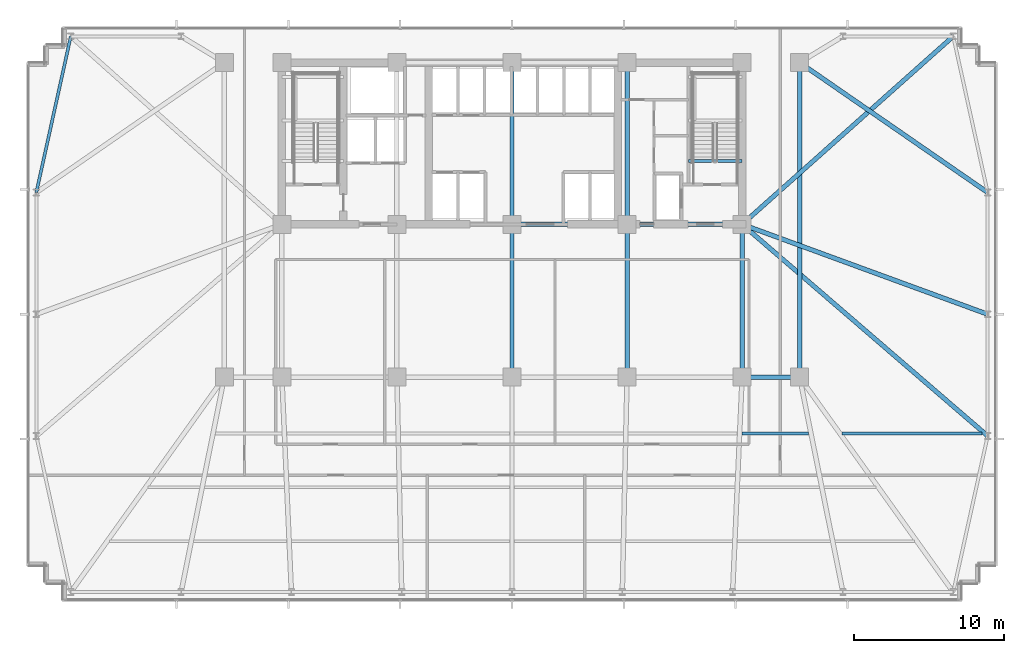
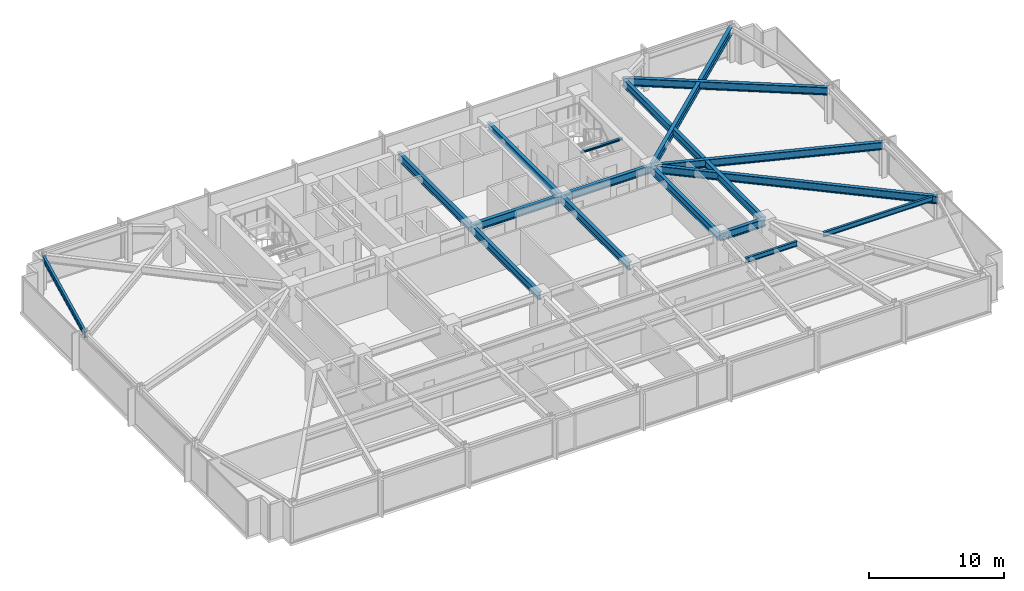
# One storey, part 16 of 32: 17 beams.
"""IFC4 building model written with IfcOpenShell, lengths in metres."""

import ifcopenshell
import ifcopenshell.guid

model = None  # the IFC model being written
_history = None  # IfcOwnerHistory: only IFC2X3 demands one
_inside = {}  # id of a spatial element -> (the spatial element, [elements in it])
_under = {}  # id of a project, library or spatial element -> (it, [spatial elements below it])
_declared = {}  # id of a project -> (the project, [libraries it declares])
_typed = {}  # id of a type object -> (the type object, [elements of that type])
_made_of = {}  # id of a material, layer set ... -> (it, [elements and type objects made of it])


def new_model(schema):
    """Start an empty IFC model of exactly this schema.

    Asked for "IFC4X3", IfcOpenShell would pick the latest addendum, in which some entities
    have other attributes; the version numbers below select the first issue.
    IFC2X3 requires an IfcOwnerHistory on every rooted entity: one is made here for all.
    """
    global model, _history
    if schema == "IFC4X3":
        model = ifcopenshell.file(schema_version=(4, 3, 0, 0))
    else:
        model = ifcopenshell.file(schema=schema)
    _inside.clear()
    _under.clear()
    _declared.clear()
    _typed.clear()
    _made_of.clear()
    _history = None
    if model.schema == "IFC2X3":
        org = make("IfcOrganization", Name="unknown")
        user = make(
            "IfcPersonAndOrganization",
            ThePerson=make("IfcPerson", FamilyName="unknown"),
            TheOrganization=org,
        )
        app = make(
            "IfcApplication",
            ApplicationDeveloper=org,
            Version="unknown",
            ApplicationFullName="unknown",
            ApplicationIdentifier="unknown",
        )
        _history = make(
            "IfcOwnerHistory",
            OwningUser=user,
            OwningApplication=app,
            ChangeAction="ADDED",
            CreationDate=0,
        )
    return model


def make(cls, **values):
    """One entity of the class cls with the attributes given. An attribute that is None is left unset."""
    return model.create_entity(
        cls, **{name: value for name, value in values.items() if value is not None}
    )


def rooted(cls, **values):
    """An entity with a GlobalId (a new one), such as an element, a storey or a relation."""
    return make(cls, GlobalId=ifcopenshell.guid.new(), OwnerHistory=_history, **values)


def si_unit(unit_type, name, prefix=None):
    """IfcSIUnit, for example si_unit("LENGTHUNIT", "METRE", prefix="MILLI")."""
    return make("IfcSIUnit", UnitType=unit_type, Prefix=prefix, Name=name)


def assignment(units):
    """IfcUnitAssignment: the units of a project."""
    return None if units is None else make("IfcUnitAssignment", Units=units)


def point(xyz):
    """IfcCartesianPoint."""
    return None if xyz is None else make("IfcCartesianPoint", Coordinates=xyz)


def direction(xyz):
    """IfcDirection."""
    return None if xyz is None else make("IfcDirection", DirectionRatios=xyz)


def frame(location, z_axis=None, x_axis=None):
    """IfcAxis2Placement3D, a coordinate frame: its origin and axes. An axis left out is left unset."""
    return make(
        "IfcAxis2Placement3D",
        Location=point(location),
        Axis=direction(z_axis),
        RefDirection=direction(x_axis),
    )


def frame_2d(location, x_axis=None):
    """IfcAxis2Placement2D, a coordinate frame in the plane: its origin and x axis."""
    return make(
        "IfcAxis2Placement2D", Location=point(location), RefDirection=direction(x_axis)
    )


def origin():
    """The frame at (0, 0, 0) with its axes left unset."""
    return frame((0.0, 0.0, 0.0))


def origin_2d():
    """The frame at (0, 0) in the plane with its x axis left unset."""
    return frame_2d((0.0, 0.0))


def place(relative_to, where):
    """IfcLocalPlacement: puts the frame where relative to a parent placement (None: the world)."""
    return make(
        "IfcLocalPlacement", PlacementRelTo=relative_to, RelativePlacement=where
    )


def context(
    kind, dimensions, precision=None, world=None, true_north=None, identifier=None
):
    """IfcGeometricRepresentationContext, for example the 3D "Model" context."""
    return make(
        "IfcGeometricRepresentationContext",
        ContextIdentifier=identifier,
        ContextType=kind,
        CoordinateSpaceDimension=dimensions,
        Precision=precision,
        WorldCoordinateSystem=world,
        TrueNorth=true_north,
    )


def subcontext(parent, identifier, kind, view, scale=None):
    """IfcGeometricRepresentationSubContext, for example "Body" below "Model"."""
    return make(
        "IfcGeometricRepresentationSubContext",
        ContextIdentifier=identifier,
        ContextType=kind,
        ParentContext=parent,
        TargetScale=scale,
        TargetView=view,
    )


def project(units=None, contexts=None):
    """IfcProject with its units and contexts."""
    return rooted(
        "IfcProject",
        Name="project",
        RepresentationContexts=contexts,
        UnitsInContext=assignment(units),
    )


def spatial(cls, under=None, at=None, **own):
    """A site, building, storey or space (cls), placed at a placement, below another one or the project."""
    s = rooted(cls, ObjectPlacement=at, **own)
    if under is not None:
        _under.setdefault(under.id(), (under, []))[1].append(s)
    return s


def profile(cls, at=None, kind="AREA", **sizes):
    """A parametric profile (cls). Its sizes go by their IFC names, for example OverallWidth=200.0."""
    return make(cls, ProfileType=kind, Position=at, **sizes)


def i_section(**sizes):
    """IfcIShapeProfileDef."""
    return profile("IfcIShapeProfileDef", **sizes)


def extrude(swept, where, along, depth):
    """IfcExtrudedAreaSolid: the profile swept, set in the frame where, extruded along a direction by depth."""
    return make(
        "IfcExtrudedAreaSolid",
        SweptArea=swept,
        Position=where,
        ExtrudedDirection=direction(along),
        Depth=depth,
    )


def shape(context_of_items, identifier, shape_type, items):
    """IfcShapeRepresentation: the items that make up one representation, for example the "Body"."""
    return make(
        "IfcShapeRepresentation",
        ContextOfItems=context_of_items,
        RepresentationIdentifier=identifier,
        RepresentationType=shape_type,
        Items=items,
    )


def material(Name=None, Category=None):
    """IfcMaterial."""
    return make("IfcMaterial", Name=Name, Category=Category)


def material_profile(
    of_material, cross_section, Name=None, Category=None, Priority=None
):
    """IfcMaterialProfile: a cross section and its material."""
    return make(
        "IfcMaterialProfile",
        Name=Name,
        Material=of_material,
        Profile=cross_section,
        Priority=Priority,
        Category=Category,
    )


def profile_set(profiles, Name=None, composite=None):
    """IfcMaterialProfileSet."""
    return make(
        "IfcMaterialProfileSet",
        Name=Name,
        MaterialProfiles=profiles,
        CompositeProfile=composite,
    )


def made_of(thing, what):
    """Note that an element or type object is made of a material, layer set ...; save() writes the relation."""
    if what is not None:
        _made_of.setdefault(what.id(), (what, []))[1].append(thing)
    return thing


def type_object(cls, material=None, **own):
    """A type object (cls), such as IfcWallType, which elements share."""
    return made_of(rooted(cls, **own), material)


def element(
    cls,
    number,
    at=None,
    inside=None,
    cuts=None,
    type_object=None,
    material=None,
    context=None,
    identifier="Body",
    shape_type=None,
    held_by="IfcProductDefinitionShape",
    body=None,
    shapes=None,
    **own,
):
    """One element of the class cls, such as IfcWall. Its Tag is "e" and its number.

    at: its placement. inside: the storey or other place that contains it. cuts: it is an
    opening in that element (IfcRelVoidsElement). A single representation is given by context,
    identifier, shape_type and body (its items); several are given by shapes. held_by: the class
    of the entity that holds the representations. save() writes the other relations.
    """
    e = rooted(cls, Tag="e%d" % number, ObjectPlacement=at, **own)
    if body is not None:
        shapes = [shape(context, identifier, shape_type, body)]
    if shapes is not None:
        e.Representation = make(held_by, Representations=shapes)
    if inside is not None:
        _inside.setdefault(inside.id(), (inside, []))[1].append(e)
    if cuts is not None:
        rooted(
            "IfcRelVoidsElement", RelatingBuildingElement=cuts, RelatedOpeningElement=e
        )
    if type_object is not None:
        _typed.setdefault(type_object.id(), (type_object, []))[1].append(e)
    return made_of(e, material)


def aggregate(whole, parts):
    """IfcRelAggregates: a whole, such as a stair, and the parts it consists of."""
    return rooted("IfcRelAggregates", RelatingObject=whole, RelatedObjects=parts)


def save(model, path):
    """Write the relations noted so far, then the file.

    IfcRelAggregates (storeys below a building ...), IfcRelContainedInSpatialStructure (elements
    in a storey), IfcRelDefinesByType, IfcRelAssociatesMaterial and IfcRelDeclares: one each for
    every whole, place, type object, material and project.
    """
    for whole, parts in _under.values():
        aggregate(whole, parts)
    for where, things in _inside.values():
        rooted(
            "IfcRelContainedInSpatialStructure",
            RelatedElements=things,
            RelatingStructure=where,
        )
    for kind, things in _typed.values():
        rooted("IfcRelDefinesByType", RelatedObjects=things, RelatingType=kind)
    for what, things in _made_of.values():
        rooted("IfcRelAssociatesMaterial", RelatedObjects=things, RelatingMaterial=what)
    for by, libraries in _declared.values():
        rooted("IfcRelDeclares", RelatingContext=by, RelatedDefinitions=libraries)
    model.write(path)


model = new_model("IFC4")

# Units and contexts
model_context = context("Model", 3, precision=1e-05, world=origin(), true_north=direction((0.0, 1.0)))
body_context = subcontext(model_context, "Body", "Model", "MODEL_VIEW")
ifc_project = project(units=[si_unit("LENGTHUNIT", "METRE"), si_unit("AREAUNIT", "SQUARE_METRE"), si_unit("VOLUMEUNIT", "CUBIC_METRE"), si_unit("PLANEANGLEUNIT", "RADIAN"), si_unit("MASSUNIT", "GRAM", prefix="KILO")], contexts=[model_context])

# Site, building, storey
site_placement = place(None, origin())
site = spatial("IfcSite", under=ifc_project, at=site_placement, CompositionType="ELEMENT")
building_placement = place(site_placement, origin())
building = spatial("IfcBuilding", under=site, at=building_placement, Name="Yelkora Congress Tower", CompositionType="ELEMENT")
storey_placement = place(building_placement, frame((0.0, 0.0, 33.800048828125)))
storey = spatial("IfcBuildingStorey", under=building, at=storey_placement, Name="L07", CompositionType="ELEMENT", Elevation=33.800048828125)

# Beams
ifc_material = material(Name="Steel S355J2", Category="steel")
ifc_material_profile_1 = material_profile(ifc_material, i_section(OverallWidth=0.300048828125, OverallDepth=0.699951171875, WebThickness=0.01708984375, FlangeThickness=0.031982421875, FilletRadius=0.027099609375, at=origin_2d()), Name="HEB 700")
ifc_profile_set_1 = profile_set([ifc_material_profile_1], Name="Steel S355J2")
beam_type_1 = type_object("IfcBeamType", Name="BM-GIRD-HEB700", PredefinedType="BEAM", material=ifc_profile_set_1)
beam_1_placement = place(storey_placement, frame((53.760009765625, 25.199951171875, 2.829833984375), z_axis=(1.0, 0.0, 0.0), x_axis=(0.0, 1.0, 0.0)))
element("IfcBeam", 1, at=beam_1_placement, inside=storey, type_object=beam_type_1, Name="L07 Spine Grid D Girder 6", PredefinedType="BEAM", context=body_context, shape_type="SweptSolid", body=[
    extrude(i_section(OverallWidth=0.300048828125, OverallDepth=0.699951171875, WebThickness=0.01708984375, FlangeThickness=0.031982421875, FilletRadius=0.027099609375, at=origin_2d()), origin(), (0.0, 0.0, 1.0), 3.840087890625),
])
beam_2_placement = place(storey_placement, frame((38.39990234375, 35.39990234375, 2.829833984375), z_axis=(1.0, 0.0, 0.0), x_axis=(0.0, 1.0, 0.0)))
element("IfcBeam", 2, at=beam_2_placement, inside=storey, type_object=beam_type_1, Name="L07 Core South Girder 3", PredefinedType="BEAM", context=body_context, shape_type="SweptSolid", body=[
    extrude(i_section(OverallWidth=0.300048828125, OverallDepth=0.699951171875, WebThickness=0.01708984375, FlangeThickness=0.031982421875, FilletRadius=0.027099609375, at=origin_2d()), origin(), (0.0, 0.0, 1.0), 7.68017578125),
])
beam_3_placement = place(storey_placement, frame((46.080078125, 35.39990234375, 2.829833984375), z_axis=(1.0, 0.0, 0.0), x_axis=(0.0, 1.0, 0.0)))
element("IfcBeam", 3, at=beam_3_placement, inside=storey, type_object=beam_type_1, Name="L07 Core South Girder 4", PredefinedType="BEAM", context=body_context, shape_type="SweptSolid", body=[
    extrude(i_section(OverallWidth=0.300048828125, OverallDepth=0.699951171875, WebThickness=0.01708984375, FlangeThickness=0.031982421875, FilletRadius=0.027099609375, at=origin_2d()), origin(), (0.0, 0.0, 1.0), 7.679931640625),
])
beam_4_placement = place(storey_placement, frame((38.39990234375, 25.199951171875, 2.829833984375), z_axis=(0.0, 1.0, 0.0), x_axis=(-1.0, 0.0, 0.0)))
element("IfcBeam", 4, at=beam_4_placement, inside=storey, type_object=beam_type_1, Name="L07 Core Tie Girder MC-D3", PredefinedType="BEAM", context=body_context, shape_type="SweptSolid", body=[
    extrude(i_section(OverallWidth=0.300048828125, OverallDepth=0.699951171875, WebThickness=0.01708984375, FlangeThickness=0.031982421875, FilletRadius=0.027099609375, at=origin_2d()), origin(), (0.0, 0.0, 1.0), 10.199951171875),
])
beam_5_placement = place(storey_placement, frame((38.39990234375, 35.39990234375, 2.829833984375), z_axis=(0.0, 1.0, 0.0), x_axis=(-1.0, 0.0, 0.0)))
element("IfcBeam", 5, at=beam_5_placement, inside=storey, type_object=beam_type_1, Name="L07 Core Tie Girder MC-S3", PredefinedType="BEAM", context=body_context, shape_type="SweptSolid", body=[
    extrude(i_section(OverallWidth=0.300048828125, OverallDepth=0.699951171875, WebThickness=0.01708984375, FlangeThickness=0.031982421875, FilletRadius=0.027099609375, at=origin_2d()), origin(), (0.0, 0.0, 1.0), 10.800048828125),
])
beam_6_placement = place(storey_placement, frame((46.080078125, 25.199951171875, 2.829833984375), z_axis=(0.0, 1.0, 0.0), x_axis=(-1.0, 0.0, 0.0)))
element("IfcBeam", 6, at=beam_6_placement, inside=storey, type_object=beam_type_1, Name="L07 Core Tie Girder MC-D4", PredefinedType="BEAM", context=body_context, shape_type="SweptSolid", body=[
    extrude(i_section(OverallWidth=0.300048828125, OverallDepth=0.699951171875, WebThickness=0.01708984375, FlangeThickness=0.031982421875, FilletRadius=0.027099609375, at=origin_2d()), origin(), (0.0, 0.0, 1.0), 10.199951171875),
])
beam_7_placement = place(storey_placement, frame((46.080078125, 35.39990234375, 2.829833984375), z_axis=(0.0, 1.0, 0.0), x_axis=(-1.0, 0.0, 0.0)))
element("IfcBeam", 7, at=beam_7_placement, inside=storey, type_object=beam_type_1, Name="L07 Core Tie Girder MC-S4", PredefinedType="BEAM", context=body_context, shape_type="SweptSolid", body=[
    extrude(i_section(OverallWidth=0.300048828125, OverallDepth=0.699951171875, WebThickness=0.01708984375, FlangeThickness=0.031982421875, FilletRadius=0.027099609375, at=origin_2d()), origin(), (0.0, 0.0, 1.0), 10.800048828125),
])
beam_8_placement = place(storey_placement, frame((53.760009765625, 25.199951171875, 2.829833984375), z_axis=(0.0, 1.0, 0.0), x_axis=(-1.0, 0.0, 0.0)))
element("IfcBeam", 8, at=beam_8_placement, inside=storey, type_object=beam_type_1, Name="L07 Core Tie Girder MC-D5", PredefinedType="BEAM", context=body_context, shape_type="SweptSolid", body=[
    extrude(i_section(OverallWidth=0.300048828125, OverallDepth=0.699951171875, WebThickness=0.01708984375, FlangeThickness=0.031982421875, FilletRadius=0.027099609375, at=origin_2d()), origin(), (0.0, 0.0, 1.0), 10.199951171875),
])
beam_9_placement = place(storey_placement, frame((57.60009765625, 25.199951171875, 2.829833984375), z_axis=(0.0, 1.0, 0.0), x_axis=(-1.0, 0.0, 0.0)))
element("IfcBeam", 9, at=beam_9_placement, inside=storey, type_object=beam_type_1, Name="L07 Neck Flank Girder MC-F2", PredefinedType="BEAM", context=body_context, shape_type="SweptSolid", body=[
    extrude(i_section(OverallWidth=0.300048828125, OverallDepth=0.699951171875, WebThickness=0.01708984375, FlangeThickness=0.031982421875, FilletRadius=0.027099609375, at=origin_2d()), origin(), (0.0, 0.0, 1.0), 21.0),
])
beam_10_placement = place(storey_placement, frame((67.85009765625, 47.949951171875, 2.829833984375), z_axis=(-0.746737189621, -0.665119214605, 0.0), x_axis=(0.665119214605, -0.746737189621, 0.0)))
element("IfcBeam", 10, at=beam_10_placement, inside=storey, type_object=beam_type_1, Name="L07 Primary Frame Girder N09", PredefinedType="BEAM", context=body_context, shape_type="SweptSolid", body=[
    extrude(i_section(OverallWidth=0.300048828125, OverallDepth=0.699951171875, WebThickness=0.01708984375, FlangeThickness=0.031982421875, FilletRadius=0.027099609375, at=origin_2d()), origin(), (0.0, 0.0, 1.0), 18.868896484375),
])
beam_11_placement = place(storey_placement, frame((70.14990234375, 21.27490234375, 2.829833984375), z_axis=(-0.757506357109, 0.652827786586, 0.0), x_axis=(-0.652827786586, -0.757506357109, 0.0)))
element("IfcBeam", 11, at=beam_11_placement, inside=storey, type_object=beam_type_1, Name="L07 Primary Frame Girder E01", PredefinedType="BEAM", context=body_context, shape_type="SweptSolid", body=[
    extrude(i_section(OverallWidth=0.300048828125, OverallDepth=0.699951171875, WebThickness=0.01708984375, FlangeThickness=0.031982421875, FilletRadius=0.027099609375, at=origin_2d()), origin(), (0.0, 0.0, 1.0), 21.63671875),
])
beam_12_placement = place(storey_placement, frame((70.14990234375, 29.39990234375, 2.829833984375), z_axis=(-0.939054471542, 0.343768380567, 0.0), x_axis=(-0.343768380567, -0.939054471542, 0.0)))
element("IfcBeam", 12, at=beam_12_placement, inside=storey, type_object=beam_type_1, Name="L07 Primary Frame Girder E02", PredefinedType="BEAM", context=body_context, shape_type="SweptSolid", body=[
    extrude(i_section(OverallWidth=0.300048828125, OverallDepth=0.699951171875, WebThickness=0.01708984375, FlangeThickness=0.031982421875, FilletRadius=0.027099609375, at=origin_2d()), origin(), (0.0, 0.0, 1.0), 17.45361328125),
])
beam_13_placement = place(storey_placement, frame((70.14990234375, 37.52490234375, 2.829833984375), z_axis=(-0.822599280139, 0.568621512357, 0.0), x_axis=(-0.568621512357, -0.822599280139, 0.0)))
element("IfcBeam", 13, at=beam_13_placement, inside=storey, type_object=beam_type_1, Name="L07 Primary Frame Girder E03", PredefinedType="BEAM", context=body_context, shape_type="SweptSolid", body=[
    extrude(i_section(OverallWidth=0.300048828125, OverallDepth=0.699951171875, WebThickness=0.01708984375, FlangeThickness=0.031982421875, FilletRadius=0.027099609375, at=origin_2d()), origin(), (0.0, 0.0, 1.0), 15.25634765625),
])
ifc_material_profile_2 = material_profile(ifc_material, i_section(OverallWidth=0.18994140625, OverallDepth=0.449951171875, WebThickness=0.009521484375, FlangeThickness=0.0146484375, FilletRadius=0.02099609375, at=origin_2d()), Name="IPE 450")
ifc_profile_set_2 = profile_set([ifc_material_profile_2], Name="Steel S355J2")
beam_type_2 = type_object("IfcBeamType", Name="BM-JOIST-IPE450", PredefinedType="JOIST", material=ifc_profile_set_2)
beam_14_placement = place(storey_placement, frame((53.754150390625, 21.449951171875, 2.954833984375), z_axis=(1.0, 0.0, 0.0), x_axis=(0.0, 1.0, 0.0)))
element("IfcBeam", 14, at=beam_14_placement, inside=storey, type_object=beam_type_2, Name="L07 Composite Floor Joist 22", PredefinedType="JOIST", context=body_context, shape_type="SweptSolid", body=[
    extrude(i_section(OverallWidth=0.18994140625, OverallDepth=0.449951171875, WebThickness=0.009521484375, FlangeThickness=0.0146484375, FilletRadius=0.02099609375, at=origin_2d()), origin(), (0.0, 0.0, 1.0), 4.4404296875),
])
beam_15_placement = place(storey_placement, frame((60.438720703125, 21.449951171875, 2.954833984375), z_axis=(1.0, 0.0, 0.0), x_axis=(0.0, 1.0, 0.0)))
element("IfcBeam", 15, at=beam_15_placement, inside=storey, type_object=beam_type_2, Name="L07 Composite Floor Joist 23", PredefinedType="JOIST", context=body_context, shape_type="SweptSolid", body=[
    extrude(i_section(OverallWidth=0.18994140625, OverallDepth=0.449951171875, WebThickness=0.009521484375, FlangeThickness=0.0146484375, FilletRadius=0.02099609375, at=origin_2d()), origin(), (0.0, 0.0, 1.0), 9.34814453125),
])
ifc_material_profile_3 = material_profile(ifc_material, i_section(OverallWidth=0.199951171875, OverallDepth=0.18994140625, WebThickness=0.006591796875, FlangeThickness=0.010009765625, FilletRadius=0.01806640625, at=origin_2d()), Name="HEA 200")
ifc_profile_set_3 = profile_set([ifc_material_profile_3], Name="Steel S355J2")
beam_type_3 = type_object("IfcBeamType", Name="BM-LAND-HEA200", PredefinedType="BEAM", material=ifc_profile_set_3)
beam_16_placement = place(storey_placement, frame((50.179931640625, 39.639892578125, 2.947265625), z_axis=(1.0, 0.0, 0.0), x_axis=(0.0, 1.0, 0.0)))
element("IfcBeam", 16, at=beam_16_placement, inside=storey, type_object=beam_type_3, Name="ST-02 L07 Floor Arrival Stringer Header Beam", PredefinedType="BEAM", context=body_context, shape_type="SweptSolid", body=[
    extrude(i_section(OverallWidth=0.199951171875, OverallDepth=0.18994140625, WebThickness=0.006591796875, FlangeThickness=0.010009765625, FilletRadius=0.01806640625, at=origin_2d()), origin(), (0.0, 0.0, 1.0), 3.580078125),
])
ifc_material_profile_4 = material_profile(ifc_material, i_section(OverallWidth=0.199951171875, OverallDepth=0.5, WebThickness=0.01025390625, FlangeThickness=0.01611328125, FilletRadius=0.02099609375, at=origin_2d()), Name="IPE 500")
ifc_profile_set_4 = profile_set([ifc_material_profile_4], Name="Steel S355J2")
beam_type_4 = type_object("IfcBeamType", Name="BM-SPAN-IPE500", PredefinedType="SPANDREL", material=ifc_profile_set_4)
beam_17_placement = place(storey_placement, frame((8.949951171875, 47.949951171875, 2.929931640625), z_axis=(-0.215445894778, -0.976515778891, 0.0), x_axis=(0.976515778891, -0.215445894778, 0.0)))
element("IfcBeam", 17, at=beam_17_placement, inside=storey, type_object=beam_type_4, Name="L07 Perimeter Beam 17", PredefinedType="SPANDREL", context=body_context, shape_type="SweptSolid", body=[
    extrude(i_section(OverallWidth=0.199951171875, OverallDepth=0.5, WebThickness=0.01025390625, FlangeThickness=0.01611328125, FilletRadius=0.02099609375, at=origin_2d()), origin(), (0.0, 0.0, 1.0), 10.67578125),
])

save(model, "model.ifc")
